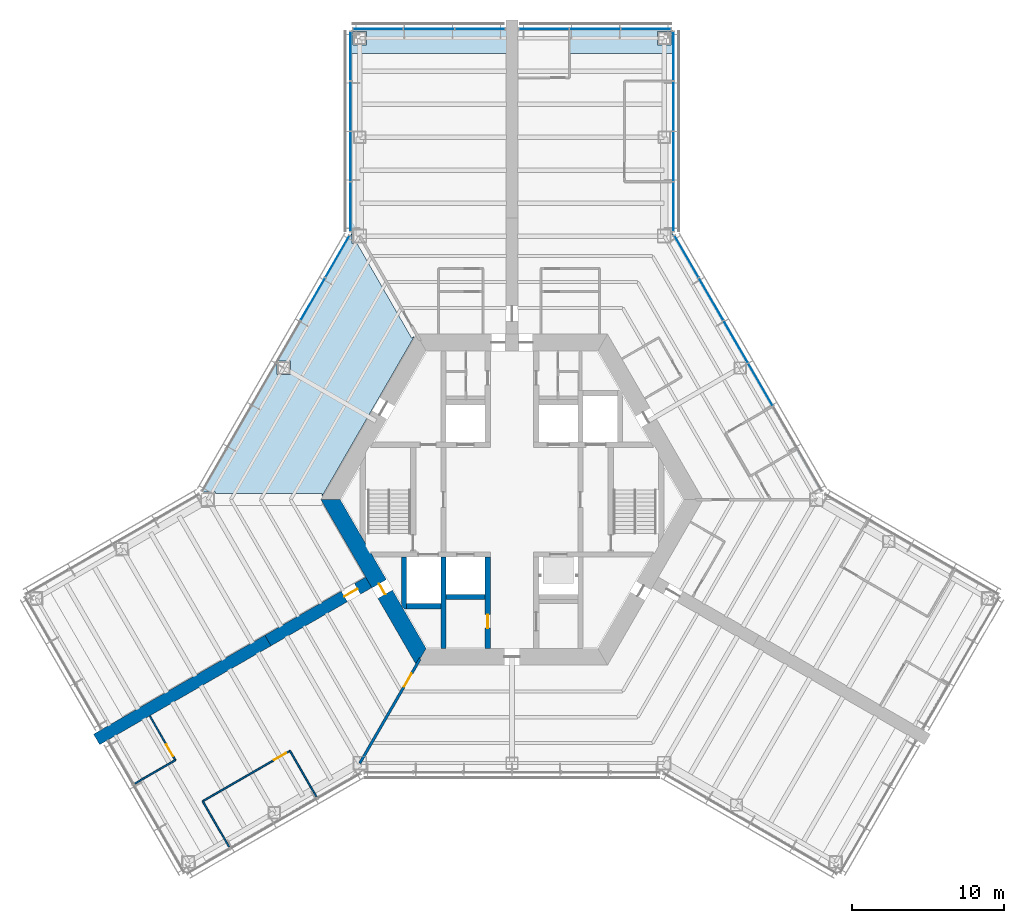
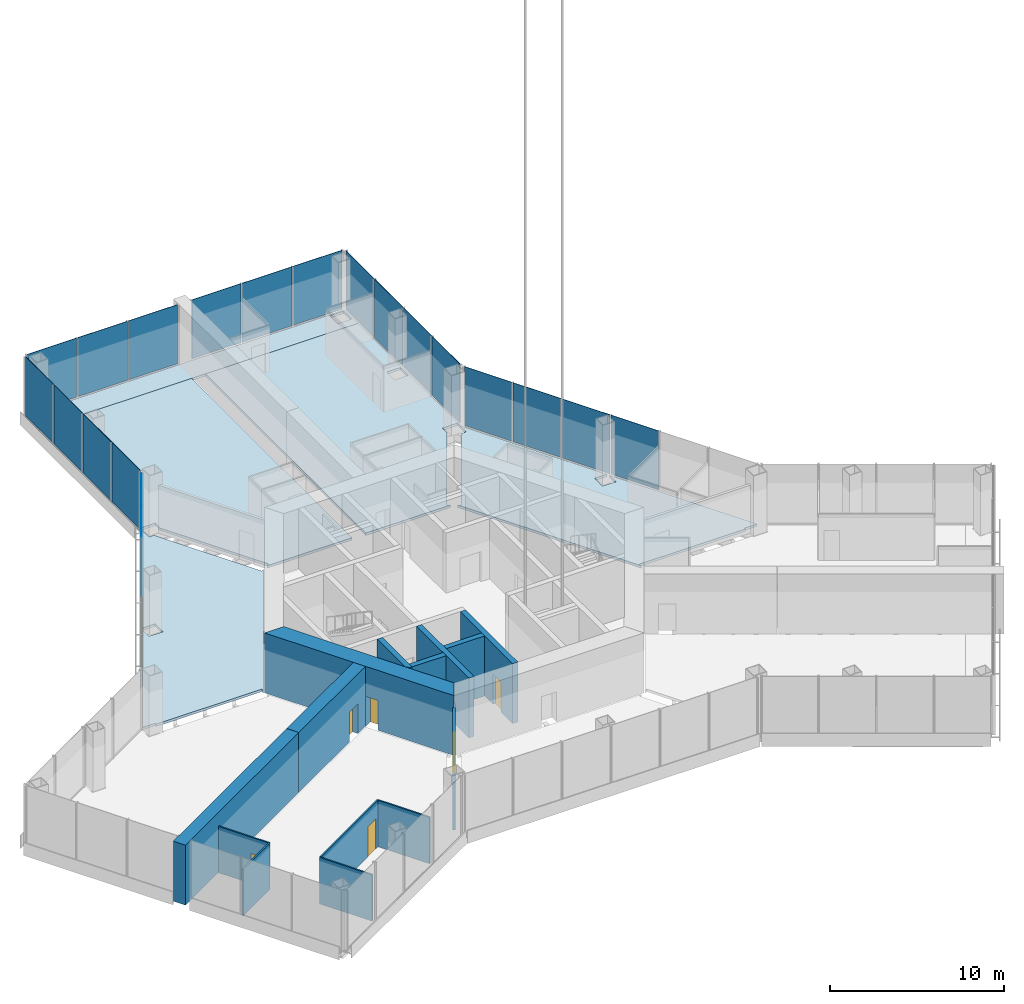
# One storey, part 10 of 18: 20 plates, 14 walls, 6 doors, 3 slabs, 6 openings, 6 elements without a shape of their own.
"""IFC4 building model written with IfcOpenShell, lengths in metres."""

from ifc_helpers import new_model, si_unit, direction, frame, frame_2d, origin, origin_2d, place, context, subcontext, project, spatial, polyline, rectangle, outline, extrude, material, layer, layer_set, type_object, element, fill, aggregate, save


model = new_model("IFC4")

# Units and contexts
model_context = context("Model", 3, precision=1e-05, world=origin(), true_north=direction((0.0, 1.0)))
body_context = subcontext(model_context, "Body", "Model", "MODEL_VIEW")
ifc_project = project(units=[si_unit("LENGTHUNIT", "METRE"), si_unit("AREAUNIT", "SQUARE_METRE"), si_unit("VOLUMEUNIT", "CUBIC_METRE"), si_unit("PLANEANGLEUNIT", "RADIAN"), si_unit("MASSUNIT", "GRAM", prefix="KILO")], contexts=[model_context])

# Site, building, storey
site_placement = place(None, origin())
site = spatial("IfcSite", under=ifc_project, at=site_placement, CompositionType="ELEMENT")
building_placement = place(site_placement, origin())
building = spatial("IfcBuilding", under=site, at=building_placement, Name="Kasaneha Research Tower", CompositionType="ELEMENT")
storey_placement = place(building_placement, frame((0.0, 0.0, 57.0)))
storey = spatial("IfcBuildingStorey", under=building, at=storey_placement, Name="L14", CompositionType="ELEMENT", Elevation=57.0)

# Curtain wall, plates
ifc_material_1 = material(Name="Glass and aluminium", Category="aluminium")
curtain_wall_type = type_object("IfcCurtainWallType", Name="Sky lobby curtain wall", PredefinedType="USERDEFINED", material=ifc_material_1)
curtain_wall_1_placement = place(storey_placement, origin())
curtain_wall_1 = element("IfcCurtainWall", 1, at=curtain_wall_1_placement, inside=storey, type_object=curtain_wall_type, Name="CW-S L14 run 07a", ObjectType="UNITISED CURTAIN WALL", PredefinedType="USERDEFINED")
ifc_material_2 = material(Name="Laminated double glazing", Category="glass")
ifc_layer_1 = layer(ifc_material_2, 0.030029296875)
ifc_layer_set_1 = layer_set([ifc_layer_1], Name="CW-S glazed panel")
plate_type = type_object("IfcPlateType", Name="CW-S glazed panel", PredefinedType="CURTAIN_PANEL", material=ifc_layer_set_1)
plate_1_placement = place(storey_placement, frame((16.331298828125, 7.554443359375, 0.070068359375), z_axis=(0.0, 0.0, 1.0), x_axis=(-0.49999996188, 0.866025425793, 0.0)))
plate_1 = element("IfcPlate", 2, at=plate_1_placement, type_object=plate_type, Name="CW-S panel 3", PredefinedType="CURTAIN_PANEL", context=body_context, shape_type="SweptSolid", body=[
    extrude(rectangle(XDim=3.176513671875, YDim=0.030029296875, at=origin_2d()), origin(), (0.0, 0.0, 1.0), 4.1298828125),
])
plate_2_placement = place(storey_placement, frame((14.7080078125, 10.365966796875, 0.070068359375), z_axis=(0.0, 0.0, 1.0), x_axis=(-0.49999996188, 0.866025425793, 0.0)))
plate_2 = element("IfcPlate", 3, at=plate_2_placement, type_object=plate_type, Name="CW-S panel 4", PredefinedType="CURTAIN_PANEL", context=body_context, shape_type="SweptSolid", body=[
    extrude(rectangle(XDim=3.176513671875, YDim=0.030029296875, at=origin_2d()), origin(), (0.0, 0.0, 1.0), 4.1298828125),
])
plate_3_placement = place(storey_placement, frame((13.084716796875, 13.177490234375, 0.070068359375), z_axis=(0.0, 0.0, 1.0), x_axis=(-0.49999996188, 0.866025425793, 0.0)))
plate_3 = element("IfcPlate", 4, at=plate_3_placement, type_object=plate_type, Name="CW-S panel 5", PredefinedType="CURTAIN_PANEL", context=body_context, shape_type="SweptSolid", body=[
    extrude(rectangle(XDim=3.176513671875, YDim=0.030029296875, at=origin_2d()), origin(), (0.0, 0.0, 1.0), 4.1298828125),
])
plate_4_placement = place(storey_placement, frame((11.470458984375, 15.973876953125, 0.070068359375), z_axis=(0.0, 0.0, 1.0), x_axis=(-0.49999996188, 0.866025425793, 0.0)))
plate_4 = element("IfcPlate", 5, at=plate_4_placement, type_object=plate_type, Name="CW-S panel 6", PredefinedType="CURTAIN_PANEL", context=body_context, shape_type="SweptSolid", body=[
    extrude(rectangle(XDim=3.141357421875, YDim=0.030029296875, at=origin_2d()), origin(), (0.0, 0.0, 1.0), 4.1298828125),
])
aggregate(curtain_wall_1, [plate_1, plate_2, plate_3, plate_4])

curtain_wall_2_placement = place(storey_placement, origin())
curtain_wall_2 = element("IfcCurtainWall", 6, at=curtain_wall_2_placement, inside=storey, type_object=curtain_wall_type, Name="CW-S L14 run 08a", ObjectType="UNITISED CURTAIN WALL", PredefinedType="USERDEFINED")
plate_5_placement = place(storey_placement, frame((10.60009765625, 19.253662109375, 0.070068359375), z_axis=(0.0, 0.0, 1.0), x_axis=(0.0, 1.0, 0.0)))
plate_5 = element("IfcPlate", 7, at=plate_5_placement, type_object=plate_type, Name="CW-S panel 1", PredefinedType="CURTAIN_PANEL", context=body_context, shape_type="SweptSolid", body=[
    extrude(rectangle(XDim=3.204833984375, YDim=0.030029296875, at=origin_2d()), origin(), (0.0, 0.0, 1.0), 4.1298828125),
])
plate_6_placement = place(storey_placement, frame((10.60009765625, 22.5458984375, 0.070068359375), z_axis=(0.0, 0.0, 1.0), x_axis=(0.0, 1.0, 0.0)))
plate_6 = element("IfcPlate", 8, at=plate_6_placement, type_object=plate_type, Name="CW-S panel 2", PredefinedType="CURTAIN_PANEL", context=body_context, shape_type="SweptSolid", body=[
    extrude(rectangle(XDim=3.23974609375, YDim=0.030029296875, at=origin_2d()), origin(), (0.0, 0.0, 1.0), 4.1298828125),
])
plate_7_placement = place(storey_placement, frame((10.60009765625, 25.855712890625, 0.070068359375), z_axis=(0.0, 0.0, 1.0), x_axis=(0.0, 1.0, 0.0)))
plate_7 = element("IfcPlate", 9, at=plate_7_placement, type_object=plate_type, Name="CW-S panel 3", PredefinedType="CURTAIN_PANEL", context=body_context, shape_type="SweptSolid", body=[
    extrude(rectangle(XDim=3.23974609375, YDim=0.030029296875, at=origin_2d()), origin(), (0.0, 0.0, 1.0), 4.1298828125),
])
plate_8_placement = place(storey_placement, frame((10.60009765625, 29.148193359375, 0.070068359375), z_axis=(0.0, 0.0, 1.0), x_axis=(0.0, 1.0, 0.0)))
plate_8 = element("IfcPlate", 10, at=plate_8_placement, type_object=plate_type, Name="CW-S panel 4", PredefinedType="CURTAIN_PANEL", context=body_context, shape_type="SweptSolid", body=[
    extrude(rectangle(XDim=3.204833984375, YDim=0.030029296875, at=origin_2d()), origin(), (0.0, 0.0, 1.0), 4.1298828125),
])
aggregate(curtain_wall_2, [plate_5, plate_6, plate_7, plate_8])

curtain_wall_3_placement = place(storey_placement, origin())
curtain_wall_3 = element("IfcCurtainWall", 11, at=curtain_wall_3_placement, inside=storey, type_object=curtain_wall_type, Name="CW-S L14 run 09a", ObjectType="UNITISED CURTAIN WALL", PredefinedType="USERDEFINED")
plate_9_placement = place(storey_placement, frame((8.799072265625, 30.92041015625, 0.070068359375), z_axis=(0.0, 0.0, 1.0), x_axis=(-1.0, 0.0, 0.0)))
plate_9 = element("IfcPlate", 12, at=plate_9_placement, type_object=plate_type, Name="CW-S panel 1", PredefinedType="CURTAIN_PANEL", context=body_context, shape_type="SweptSolid", body=[
    extrude(rectangle(XDim=3.26171875, YDim=0.030029296875, at=origin_2d()), origin(), (0.0, 0.0, 1.0), 4.1298828125),
])
plate_10_placement = place(storey_placement, frame((5.449951171875, 30.92041015625, 0.070068359375), z_axis=(0.0, 0.0, 1.0), x_axis=(-1.0, 0.0, 0.0)))
plate_10 = element("IfcPlate", 13, at=plate_10_placement, type_object=plate_type, Name="CW-S panel 2", PredefinedType="CURTAIN_PANEL", context=body_context, shape_type="SweptSolid", body=[
    extrude(rectangle(XDim=3.296630859375, YDim=0.030029296875, at=origin_2d()), origin(), (0.0, 0.0, 1.0), 4.1298828125),
])
plate_11_placement = place(storey_placement, frame((2.100830078125, 30.92041015625, 0.070068359375), z_axis=(0.0, 0.0, 1.0), x_axis=(-1.0, 0.0, 0.0)))
plate_11 = element("IfcPlate", 14, at=plate_11_placement, type_object=plate_type, Name="CW-S panel 3", PredefinedType="CURTAIN_PANEL", context=body_context, shape_type="SweptSolid", body=[
    extrude(rectangle(XDim=3.26171875, YDim=0.030029296875, at=origin_2d()), origin(), (0.0, 0.0, 1.0), 4.1298828125),
])
aggregate(curtain_wall_3, [plate_9, plate_10, plate_11])

curtain_wall_4_placement = place(storey_placement, origin())
curtain_wall_4 = element("IfcCurtainWall", 15, at=curtain_wall_4_placement, inside=storey, type_object=curtain_wall_type, Name="CW-S L14 run 10a", ObjectType="UNITISED CURTAIN WALL", PredefinedType="USERDEFINED")
plate_12_placement = place(storey_placement, frame((-2.100830078125, 30.92041015625, 0.070068359375), z_axis=(0.0, 0.0, 1.0), x_axis=(-1.0, 0.0, 0.0)))
plate_12 = element("IfcPlate", 16, at=plate_12_placement, type_object=plate_type, Name="CW-S panel 1", PredefinedType="CURTAIN_PANEL", context=body_context, shape_type="SweptSolid", body=[
    extrude(rectangle(XDim=3.26171875, YDim=0.030029296875, at=origin_2d()), origin(), (0.0, 0.0, 1.0), 4.1298828125),
])
plate_13_placement = place(storey_placement, frame((-5.449951171875, 30.92041015625, 0.070068359375), z_axis=(0.0, 0.0, 1.0), x_axis=(-1.0, 0.0, 0.0)))
plate_13 = element("IfcPlate", 17, at=plate_13_placement, type_object=plate_type, Name="CW-S panel 2", PredefinedType="CURTAIN_PANEL", context=body_context, shape_type="SweptSolid", body=[
    extrude(rectangle(XDim=3.296630859375, YDim=0.030029296875, at=origin_2d()), origin(), (0.0, 0.0, 1.0), 4.1298828125),
])
plate_14_placement = place(storey_placement, frame((-8.799072265625, 30.92041015625, 0.070068359375), z_axis=(0.0, 0.0, 1.0), x_axis=(-1.0, 0.0, 0.0)))
plate_14 = element("IfcPlate", 18, at=plate_14_placement, type_object=plate_type, Name="CW-S panel 3", PredefinedType="CURTAIN_PANEL", context=body_context, shape_type="SweptSolid", body=[
    extrude(rectangle(XDim=3.26171875, YDim=0.030029296875, at=origin_2d()), origin(), (0.0, 0.0, 1.0), 4.1298828125),
])
aggregate(curtain_wall_4, [plate_12, plate_13, plate_14])

curtain_wall_5_placement = place(storey_placement, origin())
curtain_wall_5 = element("IfcCurtainWall", 19, at=curtain_wall_5_placement, inside=storey, type_object=curtain_wall_type, Name="CW-S L14 run 11a", ObjectType="UNITISED CURTAIN WALL", PredefinedType="USERDEFINED")
plate_15_placement = place(storey_placement, frame((-10.60009765625, 29.148193359375, 0.070068359375), z_axis=(0.0, 0.0, 1.0), x_axis=(0.0, -1.0, 0.0)))
plate_15 = element("IfcPlate", 20, at=plate_15_placement, type_object=plate_type, Name="CW-S panel 1", PredefinedType="CURTAIN_PANEL", context=body_context, shape_type="SweptSolid", body=[
    extrude(rectangle(XDim=3.204833984375, YDim=0.030029296875, at=origin_2d()), origin(), (0.0, 0.0, 1.0), 4.1298828125),
])
plate_16_placement = place(storey_placement, frame((-10.60009765625, 25.855712890625, 0.070068359375), z_axis=(0.0, 0.0, 1.0), x_axis=(0.0, -1.0, 0.0)))
plate_16 = element("IfcPlate", 21, at=plate_16_placement, type_object=plate_type, Name="CW-S panel 2", PredefinedType="CURTAIN_PANEL", context=body_context, shape_type="SweptSolid", body=[
    extrude(rectangle(XDim=3.23974609375, YDim=0.030029296875, at=origin_2d()), origin(), (0.0, 0.0, 1.0), 4.1298828125),
])
plate_17_placement = place(storey_placement, frame((-10.60009765625, 22.5458984375, 0.070068359375), z_axis=(0.0, 0.0, 1.0), x_axis=(0.0, -1.0, 0.0)))
plate_17 = element("IfcPlate", 22, at=plate_17_placement, type_object=plate_type, Name="CW-S panel 3", PredefinedType="CURTAIN_PANEL", context=body_context, shape_type="SweptSolid", body=[
    extrude(rectangle(XDim=3.23974609375, YDim=0.030029296875, at=origin_2d()), origin(), (0.0, 0.0, 1.0), 4.1298828125),
])
plate_18_placement = place(storey_placement, frame((-10.60009765625, 19.253662109375, 0.070068359375), z_axis=(0.0, 0.0, 1.0), x_axis=(0.0, -1.0, 0.0)))
plate_18 = element("IfcPlate", 23, at=plate_18_placement, type_object=plate_type, Name="CW-S panel 4", PredefinedType="CURTAIN_PANEL", context=body_context, shape_type="SweptSolid", body=[
    extrude(rectangle(XDim=3.204833984375, YDim=0.030029296875, at=origin_2d()), origin(), (0.0, 0.0, 1.0), 4.1298828125),
])
aggregate(curtain_wall_5, [plate_15, plate_16, plate_17, plate_18])

curtain_wall_6_placement = place(storey_placement, origin())
curtain_wall_6 = element("IfcCurtainWall", 24, at=curtain_wall_6_placement, inside=storey, type_object=curtain_wall_type, Name="CW-S L14 run 12a", ObjectType="UNITISED CURTAIN WALL", PredefinedType="USERDEFINED")
plate_19_placement = place(storey_placement, frame((-11.470458984375, 15.973876953125, 0.070068359375), z_axis=(0.0, 0.0, 1.0), x_axis=(-0.49999996188, -0.866025425793, 0.0)))
plate_19 = element("IfcPlate", 25, at=plate_19_placement, type_object=plate_type, Name="CW-S panel 1", PredefinedType="CURTAIN_PANEL", context=body_context, shape_type="SweptSolid", body=[
    extrude(rectangle(XDim=3.141357421875, YDim=0.030029296875, at=origin_2d()), origin(), (0.0, 0.0, 1.0), 4.1298828125),
])
plate_20_placement = place(storey_placement, frame((-13.084716796875, 13.177490234375, 0.070068359375), z_axis=(0.0, 0.0, 1.0), x_axis=(-0.49999996188, -0.866025425793, 0.0)))
plate_20 = element("IfcPlate", 26, at=plate_20_placement, type_object=plate_type, Name="CW-S panel 2", PredefinedType="CURTAIN_PANEL", context=body_context, shape_type="SweptSolid", body=[
    extrude(rectangle(XDim=3.176513671875, YDim=0.030029296875, at=origin_2d()), origin(), (0.0, 0.0, 1.0), 4.1298828125),
])
aggregate(curtain_wall_6, [plate_19, plate_20])

# Slabs
ifc_material_3 = material(Name="Concrete Fc24", Category="concrete")
ifc_layer_2 = layer(ifc_material_3, 0.169921875)
ifc_layer_set_2 = layer_set([ifc_layer_2], Name="Floor slab 170")
slab_type = type_object("IfcSlabType", Name="Floor slab 170", PredefinedType="FLOOR", material=ifc_layer_set_2)
slab_1_placement = place(storey_placement, frame((0.0, 0.0, -0.169921875)))
element("IfcSlab", 27, at=slab_1_placement, inside=storey, type_object=slab_type, Name="Floor slab L14 3", PredefinedType="FLOOR", context=body_context, shape_type="SweptSolid", body=[
    extrude(outline(polyline([(-14.550048828125, 9.1103515625), (-15.375244140625, 9.1103515625), (-10.550048828125, 17.4677734375), (-10.550048828125, 29.310546875), (-0.449951171875, 29.310546875), (-0.449951171875, 10.925048828125), (-6.07666015625, 10.925048828125), (-5.9033203125, 11.02490234375), (-9.5, 17.25439453125), (-9.5, 17.820556640625), (-10.5, 17.820556640625), (-10.5, 16.820556640625), (-10.173095703125, 16.820556640625), (-6.59619140625, 10.625), (-6.423095703125, 10.72509765625), (-12.49951171875, 0.199951171875), (-12.49951171875, 0.39990234375), (-19.5, 0.39990234375), (-19.5, 0.5), (-20.346435546875, 0.5), (-15.449951171875, 8.980712890625), (-15.449951171875, 8.210205078125), (-14.550048828125, 8.210205078125), (-14.550048828125, 9.1103515625)]), holes=[polyline([(-10.449951171875, 23.37060546875), (-9.550048828125, 23.37060546875), (-9.550048828125, 24.2705078125), (-10.449951171875, 24.2705078125), (-10.449951171875, 23.37060546875)])]), origin(), (0.0, 0.0, 1.0), 0.169921875),
])
slab_2_placement = place(storey_placement, frame((0.0, 0.0, -0.169921875)))
element("IfcSlab", 28, at=slab_2_placement, inside=storey, type_object=slab_type, Name="Floor slab L14 4", PredefinedType="FLOOR", context=body_context, shape_type="SweptSolid", body=[
    extrude(outline(polyline([(10.550048828125, 29.310546875), (0.449951171875, 29.310546875), (0.449951171875, 29.320556640625), (-0.449951171875, 29.320556640625), (-0.449951171875, 29.310546875), (-10.550048828125, 29.310546875), (-10.550048828125, 30.87060546875), (10.550048828125, 30.87060546875), (10.550048828125, 29.310546875)]), holes=[polyline([(-10.449951171875, 29.87060546875), (-9.550048828125, 29.87060546875), (-9.550048828125, 30.7705078125), (-10.449951171875, 30.7705078125), (-10.449951171875, 29.87060546875)]), polyline([(9.550048828125, 29.87060546875), (10.449951171875, 29.87060546875), (10.449951171875, 30.7705078125), (9.550048828125, 30.7705078125), (9.550048828125, 29.87060546875)])]), origin(), (0.0, 0.0, 1.0), 0.169921875),
])
slab_3_placement = place(storey_placement, frame((0.0, 0.0, -0.169921875)))
element("IfcSlab", 29, at=slab_3_placement, inside=storey, type_object=slab_type, Name="Floor slab L14 6", PredefinedType="FLOOR", context=body_context, shape_type="SweptSolid", body=[
    extrude(outline(polyline([(14.550048828125, 9.1103515625), (14.550048828125, 8.210205078125), (15.449951171875, 8.210205078125), (15.449951171875, 8.980712890625), (20.346435546875, 0.5), (19.5, 0.5), (19.5, 0.39990234375), (12.49951171875, 0.39990234375), (12.49951171875, 0.199951171875), (6.423095703125, 10.72509765625), (6.59619140625, 10.625), (10.173095703125, 16.820556640625), (10.5, 16.820556640625), (10.5, 17.820556640625), (9.5, 17.820556640625), (9.5, 17.25439453125), (5.9033203125, 11.02490234375), (6.07666015625, 10.925048828125), (0.449951171875, 10.925048828125), (0.449951171875, 29.310546875), (10.550048828125, 29.310546875), (10.550048828125, 17.4677734375), (15.375244140625, 9.1103515625), (14.550048828125, 9.1103515625)]), holes=[polyline([(9.550048828125, 23.37060546875), (10.449951171875, 23.37060546875), (10.449951171875, 24.2705078125), (9.550048828125, 24.2705078125), (9.550048828125, 23.37060546875)])]), origin(), (0.0, 0.0, 1.0), 0.169921875),
])

# Wall, opening, door
ifc_material_4 = material(Name="Concrete Fc80", Category="concrete")
ifc_layer_3 = layer(ifc_material_4, 0.35009765625)
ifc_layer_set_3 = layer_set([ifc_layer_3], Name="Core internal wall 350 Fc80")
wall_type_1 = type_object("IfcWallType", Name="Core internal wall 350 Fc80", PredefinedType="SHEAR", material=ifc_layer_set_3)
wall_1_placement = place(storey_placement, frame((-1.60009765625, -3.77490234375, 0.0), z_axis=(0.0, 0.0, 1.0), x_axis=(0.0, -1.0, 0.0)))
wall_1 = element("IfcWall", 30, at=wall_1_placement, inside=storey, type_object=wall_type_1, Name="Core wall CSW L14", PredefinedType="SHEAR", context=body_context, shape_type="SweptSolid", body=[
    extrude(rectangle(XDim=6.0, YDim=0.35009765625, at=frame_2d((3.0, 0.0))), origin(), (0.0, 0.0, 1.0), 4.199951171875),
])
opening_1_placement = place(wall_1_placement, frame((3.77490234375, 0.0, 0.0)))
opening_1 = element("IfcOpeningElement", 31, at=opening_1_placement, cuts=wall_1, Name="Opening L14-D16", PredefinedType="OPENING", context=body_context, shape_type="SweptSolid", body=[
    extrude(rectangle(XDim=0.89990234375, YDim=2.10009765625, at=frame_2d((0.449951171875, 1.050048828125))), frame((0.0, 0.18505859375, 0.0), z_axis=(0.0, -1.0, 0.0), x_axis=(1.0, 0.0, 0.0)), (0.0, 0.0, 1.0), 0.3701171875),
])
ifc_material_5 = material(Name="Steel", Category="steel")
door_type_1 = type_object("IfcDoorType", Name="Riser access door FD60 900x2100", OperationType="NOTDEFINED", PredefinedType="DOOR", material=ifc_material_5)
door_1_placement = place(opening_1_placement, origin())
door_1 = element("IfcDoor", 32, at=door_1_placement, inside=storey, type_object=door_type_1, Name="Electrical riser door L14-D16", OperationType="SINGLE_SWING_LEFT", OverallHeight=2.10009765625, OverallWidth=0.89990234375, PredefinedType="DOOR", context=body_context, shape_type="SweptSolid", body=[
    extrude(rectangle(XDim=0.89990234375, YDim=2.10009765625, at=frame_2d((0.449951171875, 1.050048828125))), frame((0.0, 0.02490234375, 0.0), z_axis=(0.0, -1.0, 0.0), x_axis=(1.0, 0.0, 0.0)), (0.0, 0.0, 1.0), 0.050048828125),
])
fill(opening_1, door_1)

# Walls
wall_2_placement = place(storey_placement, frame((-4.5, -3.77490234375, 0.0), z_axis=(0.0, 0.0, 1.0), x_axis=(0.0, -1.0, 0.0)))
element("IfcWall", 33, at=wall_2_placement, inside=storey, type_object=wall_type_1, Name="Core wall SSW L14", PredefinedType="SHEAR", context=body_context, shape_type="SweptSolid", body=[
    extrude(rectangle(XDim=6.0, YDim=0.35009765625, at=frame_2d((3.0, 0.0))), origin(), (0.0, 0.0, 1.0), 4.199951171875),
])
wall_3_placement = place(storey_placement, frame((-4.324951171875, -6.39990234375, 0.0), z_axis=(0.0, 0.0, 1.0), x_axis=(1.0, 0.0, 0.0)))
element("IfcWall", 34, at=wall_3_placement, inside=storey, type_object=wall_type_1, Name="Core wall S1S L14", PredefinedType="SHEAR", context=body_context, shape_type="SweptSolid", body=[
    extrude(rectangle(XDim=2.550048828125, YDim=0.35009765625, at=frame_2d((1.27490234375, 0.0))), origin(), (0.0, 0.0, 1.0), 4.199951171875),
])
wall_4_placement = place(storey_placement, frame((-6.925048828125, -7.0, 0.0), z_axis=(0.0, 0.0, 1.0), x_axis=(1.0, 0.0, 0.0)))
element("IfcWall", 35, at=wall_4_placement, inside=storey, type_object=wall_type_1, Name="Core wall F2S L14", PredefinedType="SHEAR", context=body_context, shape_type="SweptSolid", body=[
    extrude(rectangle(XDim=2.25, YDim=0.35009765625, at=frame_2d((1.125, 0.0))), origin(), (0.0, 0.0, 1.0), 4.199951171875),
])
wall_5_placement = place(storey_placement, frame((-7.10009765625, -3.77490234375, 0.0), z_axis=(0.0, 0.0, 1.0), x_axis=(0.0, -1.0, 0.0)))
element("IfcWall", 36, at=wall_5_placement, inside=storey, type_object=wall_type_1, Name="Core wall F2W L14", PredefinedType="SHEAR", context=body_context, shape_type="SweptSolid", body=[
    extrude(outline(polyline([(0.0, -0.175048828125), (3.174560546875, -0.175048828125), (3.400146484375, 0.0), (3.400146484375, 0.175048828125), (0.0, 0.175048828125), (0.0, -0.175048828125)])), origin(), (0.0, 0.0, 1.0), 4.199951171875),
])

# Wall, opening, door
ifc_material_6 = material(Name="Concrete Fc80", Category="concrete")
ifc_layer_4 = layer(ifc_material_6, 1.10009765625)
ifc_layer_set_4 = layer_set([ifc_layer_4], Name="Core wall 1100 Fc80")
wall_type_2 = type_object("IfcWallType", Name="Core wall 1100 Fc80", PredefinedType="SHEAR", material=ifc_layer_set_4)
wall_6_placement = place(storey_placement, frame((-11.92236328125, 0.0, 0.0), z_axis=(0.0, 0.0, 1.0), x_axis=(0.500004296715, -0.866022923061, 0.0)))
wall_6 = element("IfcWall", 37, at=wall_6_placement, inside=storey, type_object=wall_type_2, Name="Core wall 210 L14", PredefinedType="SHEAR", context=body_context, shape_type="SweptSolid", body=[
    extrude(outline(polyline([(-0.317626953125, -0.550048828125), (6.381103515625, -0.550048828125), (7.18115234375, -0.550048828125), (12.239990234375, -0.550048828125), (11.604736328125, 0.550048828125), (7.18115234375, 0.550048828125), (6.381103515625, 0.550048828125), (0.317626953125, 0.550048828125), (-0.317626953125, -0.550048828125)])), origin(), (0.0, 0.0, 1.0), 4.199951171875),
])
opening_2_placement = place(wall_6_placement, frame((6.381103515625, 0.0, 0.0)))
opening_2 = element("IfcOpeningElement", 38, at=opening_2_placement, cuts=wall_6, Name="Opening L14-D06", PredefinedType="OPENING", context=body_context, shape_type="SweptSolid", body=[
    extrude(rectangle(XDim=0.800048828125, YDim=2.10009765625, at=frame_2d((0.39990234375, 1.050048828125))), frame((0.0, 0.56005859375, 0.0), z_axis=(0.0, -1.0, 0.0), x_axis=(1.0, 0.0, 0.0)), (0.0, 0.0, 1.0), 1.1201171875),
])
ifc_material_7 = material(Name="Steel", Category="steel")
door_type_2 = type_object("IfcDoorType", Name="Riser access door FD60 800x2100", OperationType="NOTDEFINED", PredefinedType="DOOR", material=ifc_material_7)
door_2_placement = place(opening_2_placement, origin())
door_2 = element("IfcDoor", 39, at=door_2_placement, inside=storey, type_object=door_type_2, Name="Duct riser door L14-D06", OperationType="SINGLE_SWING_RIGHT", OverallHeight=2.10009765625, OverallWidth=0.800048828125, PredefinedType="DOOR", context=body_context, shape_type="SweptSolid", body=[
    extrude(rectangle(XDim=0.800048828125, YDim=2.10009765625, at=frame_2d((0.39990234375, 1.050048828125))), frame((0.0, 0.02490234375, 0.0), z_axis=(0.0, -1.0, 0.0), x_axis=(1.0, 0.0, 0.0)), (0.0, 0.0, 1.0), 0.050048828125),
])
fill(opening_2, door_2)

ifc_material_8 = material(Name="Gypsum board on steel studs, one layer each side", Category="steel")
ifc_layer_5 = layer(ifc_material_8, 0.10009765625)
ifc_layer_set_5 = layer_set([ifc_layer_5], Name="Office partition 100")
wall_type_3 = type_object("IfcWallType", Name="Office partition 100", PredefinedType="PARTITIONING", material=ifc_layer_set_5)
wall_7_placement = place(storey_placement, frame((-20.324951171875, -19.8173828125, 0.0), z_axis=(0.0, 0.0, 1.0), x_axis=(0.866037567856, 0.499978930619, 0.0)))
wall_7 = element("IfcWall", 40, at=wall_7_placement, inside=storey, type_object=wall_type_3, Name="Office partition FBS01 L14", PredefinedType="PARTITIONING", context=body_context, shape_type="SweptSolid", body=[
    extrude(rectangle(XDim=6.619384765625, YDim=0.10009765625, at=frame_2d((3.3095703125, 0.0))), origin(), (0.0, 0.0, 1.0), 3.25),
])
opening_3_placement = place(wall_7_placement, frame((5.419677734375, 0.0, 0.0)))
opening_3 = element("IfcOpeningElement", 41, at=opening_3_placement, cuts=wall_7, Name="Opening L14-D36", PredefinedType="OPENING", context=body_context, shape_type="SweptSolid", body=[
    extrude(rectangle(XDim=0.89990234375, YDim=2.10009765625, at=frame_2d((0.449951171875, 1.050048828125))), frame((0.0, 0.06005859375, 0.0), z_axis=(0.0, -1.0, 0.0), x_axis=(1.0, 0.0, 0.0)), (0.0, 0.0, 1.0), 0.1201171875),
])
ifc_material_9 = material(Name="Timber veneer", Category="wood")
door_type_3 = type_object("IfcDoorType", Name="Office door 900x2100", OperationType="SINGLE_SWING_LEFT", PredefinedType="DOOR", material=ifc_material_9)
door_3_placement = place(opening_3_placement, origin())
door_3 = element("IfcDoor", 42, at=door_3_placement, inside=storey, type_object=door_type_3, Name="Meeting room door L14-D36", OperationType="SINGLE_SWING_RIGHT", OverallHeight=2.10009765625, OverallWidth=0.89990234375, PredefinedType="DOOR", context=body_context, shape_type="SweptSolid", body=[
    extrude(rectangle(XDim=0.89990234375, YDim=2.10009765625, at=frame_2d((0.449951171875, 1.050048828125))), frame((0.0, 0.02490234375, 0.0), z_axis=(0.0, -1.0, 0.0), x_axis=(1.0, 0.0, 0.0)), (0.0, 0.0, 1.0), 0.050048828125),
])
fill(opening_3, door_3)

# Walls
wall_8_placement = place(storey_placement, frame((-18.5849609375, -22.831298828125, 0.0), z_axis=(0.0, 0.0, 1.0), x_axis=(-0.499979528911, 0.866037222451, 0.0)))
element("IfcWall", 43, at=wall_8_placement, inside=storey, type_object=wall_type_3, Name="Office partition FBS02 L14", PredefinedType="PARTITIONING", context=body_context, shape_type="SweptSolid", body=[
    extrude(rectangle(XDim=3.480224609375, YDim=0.10009765625, at=frame_2d((1.740234375, 0.0))), origin(), (0.0, 0.0, 1.0), 3.25),
])
wall_9_placement = place(storey_placement, frame((-14.59228515625, -16.5078125, 0.0), z_axis=(0.0, 0.0, 1.0), x_axis=(0.500051338648, -0.865995761373, 0.0)))
element("IfcWall", 44, at=wall_9_placement, inside=storey, type_object=wall_type_3, Name="Office partition FBS03 L14", PredefinedType="PARTITIONING", context=body_context, shape_type="SweptSolid", body=[
    extrude(rectangle(XDim=3.469970703125, YDim=0.10009765625, at=frame_2d((1.73486328125, 0.0))), origin(), (0.0, 0.0, 1.0), 3.25),
])

# Wall, opening, door
wall_10_placement = place(storey_placement, frame((-23.796630859375, -14.22412109375, 0.0), z_axis=(0.0, 0.0, 1.0), x_axis=(0.500015043844, -0.866016718043, 0.0)))
wall_10 = element("IfcWall", 45, at=wall_10_placement, inside=storey, type_object=wall_type_3, Name="Office partition FBS04 L14", PredefinedType="PARTITIONING", context=body_context, shape_type="SweptSolid", body=[
    extrude(rectangle(XDim=3.3466796875, YDim=0.10009765625, at=frame_2d((1.67333984375, 0.0))), origin(), (0.0, 0.0, 1.0), 3.25),
])
opening_4_placement = place(wall_10_placement, frame((2.146728515625, 0.0, 0.0)))
opening_4 = element("IfcOpeningElement", 46, at=opening_4_placement, cuts=wall_10, Name="Opening L14-D37", PredefinedType="OPENING", context=body_context, shape_type="SweptSolid", body=[
    extrude(rectangle(XDim=0.89990234375, YDim=2.10009765625, at=frame_2d((0.449951171875, 1.050048828125))), frame((0.0, 0.06005859375, 0.0), z_axis=(0.0, -1.0, 0.0), x_axis=(1.0, 0.0, 0.0)), (0.0, 0.0, 1.0), 0.1201171875),
])
door_4_placement = place(opening_4_placement, origin())
door_4 = element("IfcDoor", 47, at=door_4_placement, inside=storey, type_object=door_type_3, Name="Project room door L14-D37", OperationType="SINGLE_SWING_RIGHT", OverallHeight=2.10009765625, OverallWidth=0.89990234375, PredefinedType="DOOR", context=body_context, shape_type="SweptSolid", body=[
    extrude(rectangle(XDim=0.89990234375, YDim=2.10009765625, at=frame_2d((0.449951171875, 1.050048828125))), frame((0.0, 0.02490234375, 0.0), z_axis=(0.0, -1.0, 0.0), x_axis=(1.0, 0.0, 0.0)), (0.0, 0.0, 1.0), 0.050048828125),
])
fill(opening_4, door_4)

# Wall
wall_11_placement = place(storey_placement, frame((-22.123291015625, -17.122314453125, 0.0), z_axis=(0.0, 0.0, 1.0), x_axis=(-0.866037264291, -0.499979456437, 0.0)))
element("IfcWall", 48, at=wall_11_placement, inside=storey, type_object=wall_type_3, Name="Office partition FBS05 L14", PredefinedType="PARTITIONING", context=body_context, shape_type="SweptSolid", body=[
    extrude(rectangle(XDim=3.070068359375, YDim=0.10009765625, at=frame_2d((1.53515625, 0.0))), origin(), (0.0, 0.0, 1.0), 3.25),
])

# Wall, opening, door
ifc_material_10 = material(Name="Concrete Fc80", Category="concrete")
ifc_layer_6 = layer(ifc_material_10, 0.800048828125)
ifc_layer_set_6 = layer_set([ifc_layer_6], Name="Spine wall 800 Fc80")
wall_type_4 = type_object("IfcWallType", Name="Spine wall 800 Fc80", PredefinedType="SHEAR", material=ifc_layer_set_6)
wall_12_placement = place(storey_placement, frame((-9.41796875, -5.4375, 0.0), z_axis=(0.0, 0.0, 1.0), x_axis=(-0.866029782078, -0.499992416496, 0.0)))
wall_12 = element("IfcWall", 49, at=wall_12_placement, inside=storey, type_object=wall_type_4, Name="Spine wall B L14", PredefinedType="SHEAR", context=body_context, shape_type="SweptSolid", body=[
    extrude(rectangle(XDim=7.6455078125, YDim=0.800048828125, at=frame_2d((3.82275390625, 0.0))), origin(), (0.0, 0.0, 1.0), 4.199951171875),
])
opening_5_placement = place(wall_12_placement, frame((0.85009765625, 0.0, 0.0)))
opening_5 = element("IfcOpeningElement", 50, at=opening_5_placement, cuts=wall_12, Name="Opening L14-D18", PredefinedType="OPENING", context=body_context, shape_type="SweptSolid", body=[
    extrude(rectangle(XDim=1.0, YDim=2.10009765625, at=frame_2d((0.5, 1.050048828125))), frame((0.0, 0.41015625, 0.0), z_axis=(0.0, -1.0, 0.0), x_axis=(1.0, 0.0, 0.0)), (0.0, 0.0, 1.0), 0.820068359375),
])
ifc_material_11 = material(Name="Steel", Category="steel")
door_type_4 = type_object("IfcDoorType", Name="Specified fire door FD60 1000x2100", OperationType="NOTDEFINED", PredefinedType="DOOR", material=ifc_material_11)
door_5_placement = place(opening_5_placement, origin())
door_5 = element("IfcDoor", 51, at=door_5_placement, inside=storey, type_object=door_type_4, Name="Spine doorway B L14-D18", OperationType="SINGLE_SWING_LEFT", OverallHeight=2.10009765625, OverallWidth=1.0, PredefinedType="DOOR", context=body_context, shape_type="SweptSolid", body=[
    extrude(rectangle(XDim=1.0, YDim=2.10009765625, at=frame_2d((0.5, 1.050048828125))), frame((0.0, 0.02490234375, 0.0), z_axis=(0.0, -1.0, 0.0), x_axis=(1.0, 0.0, 0.0)), (0.0, 0.0, 1.0), 0.050048828125),
])
fill(opening_5, door_5)

# Wall
wall_13_placement = place(storey_placement, frame((-16.039306640625, -9.26025390625, 0.0), z_axis=(0.0, 0.0, 1.0), x_axis=(-0.866024837091, -0.50000098154, 0.0)))
element("IfcWall", 52, at=wall_13_placement, inside=storey, type_object=wall_type_4, Name="Spine wall B wing L14", PredefinedType="SHEAR", context=body_context, shape_type="SweptSolid", body=[
    extrude(rectangle(XDim=13.0, YDim=0.800048828125, at=frame_2d((6.5, 0.0))), origin(), (0.0, 0.0, 1.0), 4.199951171875),
])

# Wall, opening, door
ifc_material_12 = material(Name="Gypsum board on steel studs, two layers each side", Category="steel")
ifc_layer_7 = layer(ifc_material_12, 0.175048828125)
ifc_layer_set_7 = layer_set([ifc_layer_7], Name="Tenancy fire partition 175")
wall_type_5 = type_object("IfcWallType", Name="Tenancy fire partition 175", PredefinedType="PARTITIONING", material=ifc_layer_set_7)
wall_14_placement = place(storey_placement, frame((-6.0361328125, -10.455078125, 0.0), z_axis=(0.0, 0.0, 1.0), x_axis=(-0.500007693191, -0.866020962073, 0.0)))
wall_14 = element("IfcWall", 53, at=wall_14_placement, inside=storey, type_object=wall_type_5, Name="Tenancy fire partition T240 L14", PredefinedType="PARTITIONING", context=body_context, shape_type="SweptSolid", body=[
    extrude(outline(polyline([(-0.050537109375, -0.08740234375), (1.127197265625, -0.08740234375), (2.127197265625, -0.08740234375), (7.927734375, -0.08740234375), (7.927734375, 0.08740234375), (2.127197265625, 0.08740234375), (1.127197265625, 0.08740234375), (0.050537109375, 0.08740234375), (-0.050537109375, -0.08740234375)])), origin(), (0.0, 0.0, 1.0), 3.35009765625),
])
opening_6_placement = place(wall_14_placement, frame((1.127197265625, 0.0, 0.0)))
opening_6 = element("IfcOpeningElement", 54, at=opening_6_placement, cuts=wall_14, Name="Opening L14-D26", PredefinedType="OPENING", context=body_context, shape_type="SweptSolid", body=[
    extrude(rectangle(XDim=1.0, YDim=2.10009765625, at=frame_2d((0.5, 1.050048828125))), frame((0.0, 0.09765625, 0.0), z_axis=(0.0, -1.0, 0.0), x_axis=(1.0, 0.0, 0.0)), (0.0, 0.0, 1.0), 0.195068359375),
])
ifc_material_13 = material(Name="Steel", Category="steel")
door_type_5 = type_object("IfcDoorType", Name="Suite entrance door FD60 1000x2100", OperationType="NOTDEFINED", PredefinedType="DOOR", material=ifc_material_13)
door_6_placement = place(opening_6_placement, origin())
door_6 = element("IfcDoor", 55, at=door_6_placement, inside=storey, type_object=door_type_5, Name="Connecting door L14-D26", OperationType="SINGLE_SWING_LEFT", OverallHeight=2.10009765625, OverallWidth=1.0, PredefinedType="DOOR", context=body_context, shape_type="SweptSolid", body=[
    extrude(rectangle(XDim=1.0, YDim=2.10009765625, at=frame_2d((0.5, 1.050048828125))), frame((0.0, 0.02490234375, 0.0), z_axis=(0.0, -1.0, 0.0), x_axis=(1.0, 0.0, 0.0)), (0.0, 0.0, 1.0), 0.050048828125),
])
fill(opening_6, door_6)

save(model, "model.ifc")
